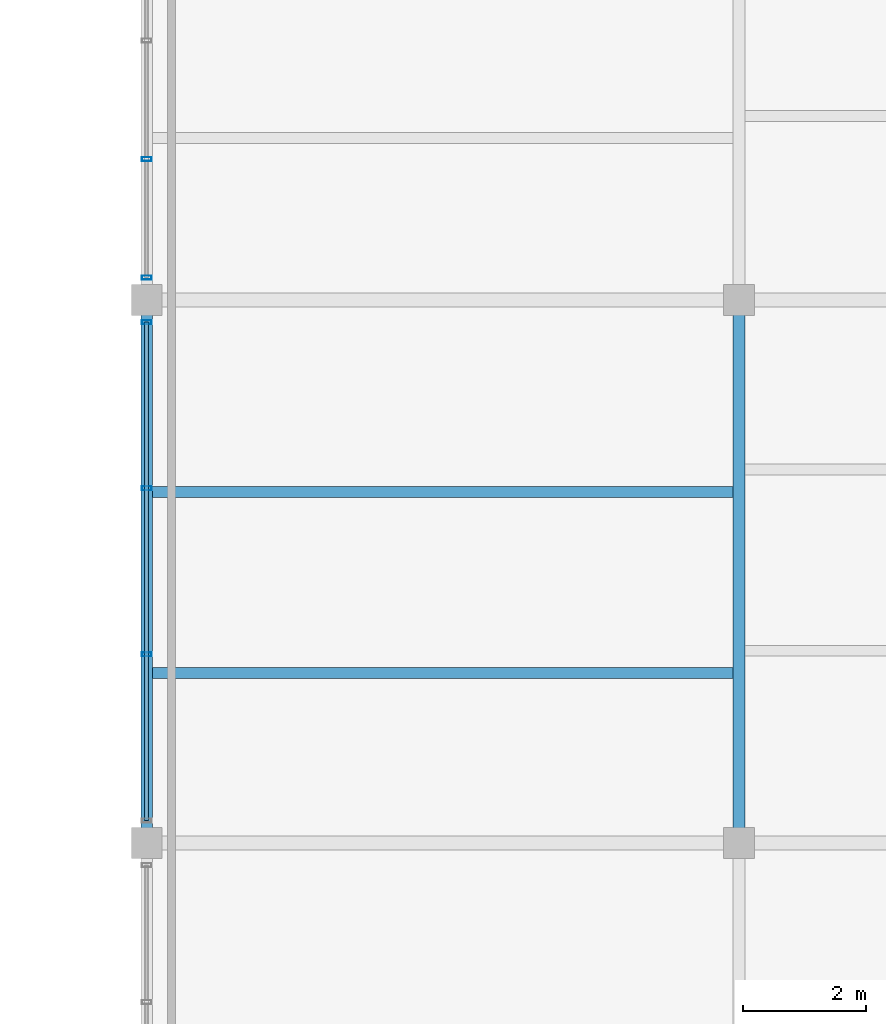
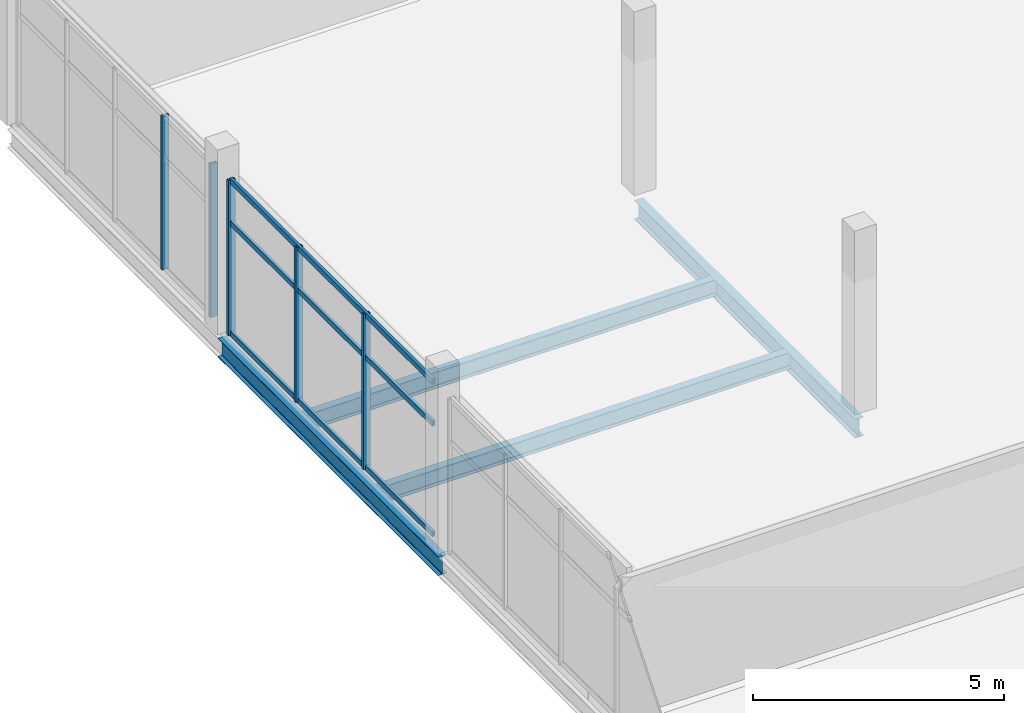
# One storey, part 54 of 114: 8 members, 4 beams, 2 elements without a shape of their own.
"""IFC4 building model written with IfcOpenShell, lengths in metres."""

from ifc_helpers import new_model, si_unit, direction, frame, origin, origin_2d, place, context, subcontext, project, spatial, hollow_rectangle, i_section, extrude, material, layer, layer_set, material_profile, profile_set, type_object, element, aggregate, save


model = new_model("IFC4")

# Units and contexts
model_context = context("Model", 3, precision=1e-05, world=origin(), true_north=direction((0.0, 1.0)))
body_context = subcontext(model_context, "Body", "Model", "MODEL_VIEW")
ifc_project = project(units=[si_unit("LENGTHUNIT", "METRE"), si_unit("AREAUNIT", "SQUARE_METRE"), si_unit("VOLUMEUNIT", "CUBIC_METRE"), si_unit("PLANEANGLEUNIT", "RADIAN"), si_unit("MASSUNIT", "GRAM", prefix="KILO")], contexts=[model_context])

# Site, building, storey
site_placement = place(None, origin())
site = spatial("IfcSite", under=ifc_project, at=site_placement, CompositionType="ELEMENT")
building_placement = place(site_placement, origin())
building = spatial("IfcBuilding", under=site, at=building_placement, Name="Chalmorin Arch Market", CompositionType="ELEMENT")
storey_placement = place(building_placement, frame((0.0, 0.0, 9.60009765625)))
storey = spatial("IfcBuildingStorey", under=building, at=storey_placement, Name="L02", CompositionType="ELEMENT", Elevation=9.60009765625)

# Curtain wall, members
ifc_material_1 = material(Name="Aluminium 6063-T6", Category="aluminium")
ifc_layer_1 = layer(ifc_material_1, 0.159912109375)
ifc_layer_set_1 = layer_set([ifc_layer_1], Name="Aluminium 6063-T6")
curtain_wall_type_1 = type_object("IfcCurtainWallType", Name="CulinaryStudioCurtainWall-CW3-8080x3790", PredefinedType="NOTDEFINED", material=ifc_layer_set_1)
curtain_wall_1_placement = place(storey_placement, origin())
curtain_wall_1 = element("IfcCurtainWall", 1, at=curtain_wall_1_placement, inside=storey, type_object=curtain_wall_type_1, Name="CW-03-116", PredefinedType="NOTDEFINED")
ifc_material_profile_1 = material_profile(ifc_material_1, hollow_rectangle(XDim=0.06494140625, YDim=0.159912109375, WallThickness=0.00390625, at=origin_2d()), Name="ALU65X160X4")
ifc_profile_set_1 = profile_set([ifc_material_profile_1], Name="Aluminium 6063-T6")
member_type_1 = type_object("IfcMemberType", Name="CurtainWallMullion-65x160", PredefinedType="MULLION", material=ifc_profile_set_1)
member_1_placement = place(storey_placement, frame((48.0, 103.853271484375, 0.0), z_axis=(0.0, 0.0, 1.0), x_axis=(0.0, 1.0, 0.0)))
member_1 = element("IfcMember", 2, at=member_1_placement, type_object=member_type_1, Name="ML-116-02", PredefinedType="MULLION", context=body_context, shape_type="SweptSolid", body=[
    extrude(hollow_rectangle(XDim=0.06494140625, YDim=0.159912109375, WallThickness=0.00390625, at=origin_2d()), origin(), (0.0, 0.0, 1.0), 3.785888671875),
])
member_2_placement = place(storey_placement, frame((48.0, 106.546630859375, 0.0), z_axis=(0.0, 0.0, 1.0), x_axis=(0.0, 1.0, 0.0)))
member_2 = element("IfcMember", 3, at=member_2_placement, type_object=member_type_1, Name="ML-116-03", PredefinedType="MULLION", context=body_context, shape_type="SweptSolid", body=[
    extrude(hollow_rectangle(XDim=0.06494140625, YDim=0.159912109375, WallThickness=0.00390625, at=origin_2d()), origin(), (0.0, 0.0, 1.0), 3.785888671875),
])
member_3_placement = place(storey_placement, frame((48.0, 109.239990234375, 0.0), z_axis=(0.0, 0.0, 1.0), x_axis=(0.0, 1.0, 0.0)))
member_3 = element("IfcMember", 4, at=member_3_placement, type_object=member_type_1, Name="ML-116-04", PredefinedType="MULLION", context=body_context, shape_type="SweptSolid", body=[
    extrude(hollow_rectangle(XDim=0.06494140625, YDim=0.159912109375, WallThickness=0.00390625, at=origin_2d()), origin(), (0.0, 0.0, 1.0), 3.785888671875),
])

ifc_layer_2 = layer(ifc_material_1, 0.159912109375)
ifc_layer_set_2 = layer_set([ifc_layer_2], Name="Aluminium 6063-T6")
curtain_wall_type_2 = type_object("IfcCurtainWallType", Name="CulinaryStudioCurtainWall-CW3-7680x3750", PredefinedType="NOTDEFINED", material=ifc_layer_set_2)
curtain_wall_2_placement = place(storey_placement, origin())
curtain_wall_2 = element("IfcCurtainWall", 5, at=curtain_wall_2_placement, inside=storey, type_object=curtain_wall_type_2, Name="CW-03-119", PredefinedType="NOTDEFINED")
member_4_placement = place(storey_placement, frame((48.0, 109.9599609375, 0.0), z_axis=(0.0, 0.0, 1.0), x_axis=(0.0, 1.0, 0.0)))
member_4 = element("IfcMember", 6, at=member_4_placement, type_object=member_type_1, Name="ML-119-01", PredefinedType="MULLION", context=body_context, shape_type="SweptSolid", body=[
    extrude(hollow_rectangle(XDim=0.06494140625, YDim=0.159912109375, WallThickness=0.00390625, at=origin_2d()), origin(), (0.0, 0.0, 1.0), 3.745849609375),
])
member_5_placement = place(storey_placement, frame((48.0, 111.8798828125, 0.0), z_axis=(0.0, 0.0, 1.0), x_axis=(0.0, 1.0, 0.0)))
member_5 = element("IfcMember", 7, at=member_5_placement, type_object=member_type_1, Name="ML-119-02", PredefinedType="MULLION", context=body_context, shape_type="SweptSolid", body=[
    extrude(hollow_rectangle(XDim=0.06494140625, YDim=0.159912109375, WallThickness=0.00390625, at=origin_2d()), origin(), (0.0, 0.0, 1.0), 3.745849609375),
])
aggregate(curtain_wall_2, [member_4, member_5])

# Member
ifc_material_profile_2 = material_profile(ifc_material_1, hollow_rectangle(XDim=0.06494140625, YDim=0.1298828125, WallThickness=0.00390625, at=origin_2d()), Name="ALU65X130X4")
ifc_profile_set_2 = profile_set([ifc_material_profile_2], Name="Aluminium 6063-T6")
member_type_2 = type_object("IfcMemberType", Name="CurtainWallTransom-65x130", PredefinedType="USERDEFINED", material=ifc_profile_set_2)
member_6_placement = place(storey_placement, frame((48.0, 101.159912109375, 0.034912109375), z_axis=(0.0, 1.0, 0.0), x_axis=(-1.0, 0.0, 0.0)))
member_6 = element("IfcMember", 8, at=member_6_placement, type_object=member_type_2, Name="TR-116-01", ObjectType="TRANSOM", PredefinedType="USERDEFINED", context=body_context, shape_type="SweptSolid", body=[
    extrude(hollow_rectangle(XDim=0.06494140625, YDim=0.1298828125, WallThickness=0.00390625, at=origin_2d()), origin(), (0.0, 0.0, 1.0), 8.080078125),
])

member_7_placement = place(storey_placement, frame((48.0, 101.159912109375, 2.725830078125), z_axis=(0.0, 1.0, 0.0), x_axis=(-1.0, 0.0, 0.0)))
member_7 = element("IfcMember", 9, at=member_7_placement, type_object=member_type_2, Name="TR-116-02", ObjectType="TRANSOM", PredefinedType="USERDEFINED", context=body_context, shape_type="SweptSolid", body=[
    extrude(hollow_rectangle(XDim=0.06494140625, YDim=0.1298828125, WallThickness=0.00390625, at=origin_2d()), origin(), (0.0, 0.0, 1.0), 8.080078125),
])

member_8_placement = place(storey_placement, frame((48.0, 101.159912109375, 3.7509765625), z_axis=(0.0, 1.0, 0.0), x_axis=(-1.0, 0.0, 0.0)))
member_8 = element("IfcMember", 10, at=member_8_placement, type_object=member_type_2, Name="TR-116-03", ObjectType="TRANSOM", PredefinedType="USERDEFINED", context=body_context, shape_type="SweptSolid", body=[
    extrude(hollow_rectangle(XDim=0.06494140625, YDim=0.1298828125, WallThickness=0.00390625, at=origin_2d()), origin(), (0.0, 0.0, 1.0), 8.080078125),
])

aggregate(curtain_wall_1, [member_1, member_2, member_3, member_6, member_7, member_8])

# Beams
ifc_material_2 = material(Name="Steel A992 Grade 50", Category="steel")
ifc_material_profile_3 = material_profile(ifc_material_2, i_section(OverallWidth=0.193115234375, OverallDepth=0.466064453125, WebThickness=0.011474609375, FlangeThickness=0.01904296875, FilletRadius=0.02001953125, at=origin_2d()), Name="W18X65")
ifc_profile_set_3 = profile_set([ifc_material_profile_3], Name="Steel A992 Grade 50")
beam_type_1 = type_object("IfcBeamType", Name="FloorSteelBeam-W18X65", PredefinedType="BEAM", material=ifc_profile_set_3)
beam_1_placement = place(storey_placement, frame((57.60009765625, 100.800048828125, -0.51513671875), z_axis=(0.0, 1.0, 0.0), x_axis=(-1.0, 0.0, 0.0)))
element("IfcBeam", 11, at=beam_1_placement, inside=storey, type_object=beam_type_1, Name="BM-W18A-1231", PredefinedType="BEAM", context=body_context, shape_type="SweptSolid", body=[
    extrude(i_section(OverallWidth=0.193115234375, OverallDepth=0.466064453125, WebThickness=0.011474609375, FlangeThickness=0.01904296875, FilletRadius=0.02001953125, at=origin_2d()), origin(), (0.0, 0.0, 1.0), 8.800048828125),
])
ifc_material_profile_4 = material_profile(ifc_material_2, i_section(OverallWidth=0.19091796875, OverallDepth=0.45703125, WebThickness=0.009033203125, FlangeThickness=0.014404296875, FilletRadius=0.02001953125, at=origin_2d()), Name="W18X50")
ifc_profile_set_4 = profile_set([ifc_material_profile_4], Name="Steel A992 Grade 50")
beam_type_2 = type_object("IfcBeamType", Name="PerimeterSpandrelBeam-W18X50", PredefinedType="SPANDREL", material=ifc_profile_set_4)
beam_2_placement = place(storey_placement, frame((48.0, 100.800048828125, -0.510498046875), z_axis=(0.0, 1.0, 0.0), x_axis=(-1.0, 0.0, 0.0)))
element("IfcBeam", 12, at=beam_2_placement, inside=storey, type_object=beam_type_2, Name="SP-W18-1230", PredefinedType="SPANDREL", context=body_context, shape_type="SweptSolid", body=[
    extrude(i_section(OverallWidth=0.19091796875, OverallDepth=0.45703125, WebThickness=0.009033203125, FlangeThickness=0.014404296875, FilletRadius=0.02001953125, at=origin_2d()), origin(), (0.0, 0.0, 1.0), 8.800048828125),
])
ifc_material_profile_5 = material_profile(ifc_material_2, i_section(OverallWidth=0.177978515625, OverallDepth=0.403076171875, WebThickness=0.007568359375, FlangeThickness=0.010986328125, FilletRadius=0.01806640625, at=origin_2d()), Name="W16X36")
ifc_profile_set_5 = profile_set([ifc_material_profile_5], Name="Steel A992 Grade 50")
beam_type_3 = type_object("IfcBeamType", Name="SecondaryFloorJoist-W16X36", PredefinedType="JOIST", material=ifc_profile_set_5)
for number, where, z_axis, x_axis, name in (
    (13, (48.0, 103.55322265625, -0.483642578125), (1.0, 0.0, 0.0), (0.0, 1.0, 0.0), "BJ-W16B-1305"),
    (14, (48.0, 106.48681640625, -0.483642578125), (1.0, 0.0, 0.0), (0.0, 1.0, 0.0), "BJ-W16B-1306"),
):
    element("IfcBeam", number, at=place(storey_placement, frame(where, z_axis=z_axis, x_axis=x_axis)), inside=storey, type_object=beam_type_3, Name=name, PredefinedType="JOIST", context=body_context, shape_type="SweptSolid", body=[
        extrude(i_section(OverallWidth=0.177978515625, OverallDepth=0.403076171875, WebThickness=0.007568359375, FlangeThickness=0.010986328125, FilletRadius=0.01806640625, at=origin_2d()), origin(), (0.0, 0.0, 1.0), 9.60009765625),
    ])

save(model, "model.ifc")
